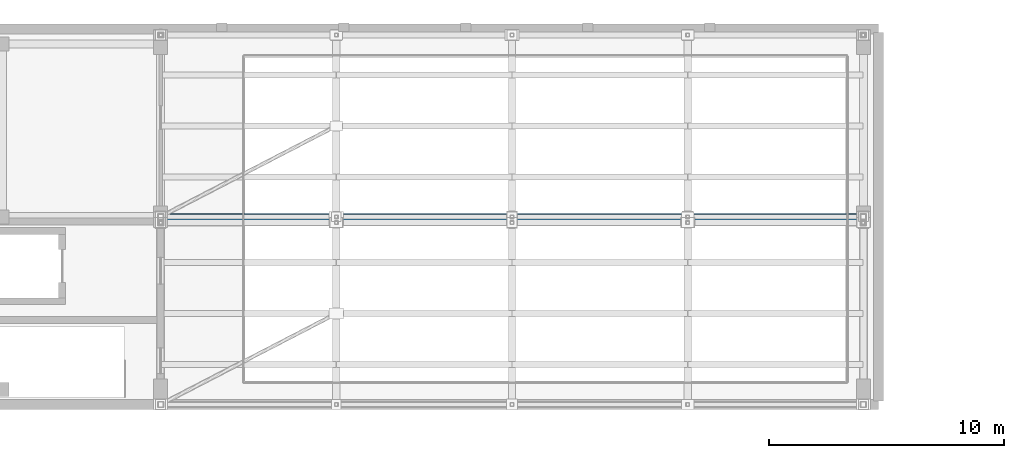
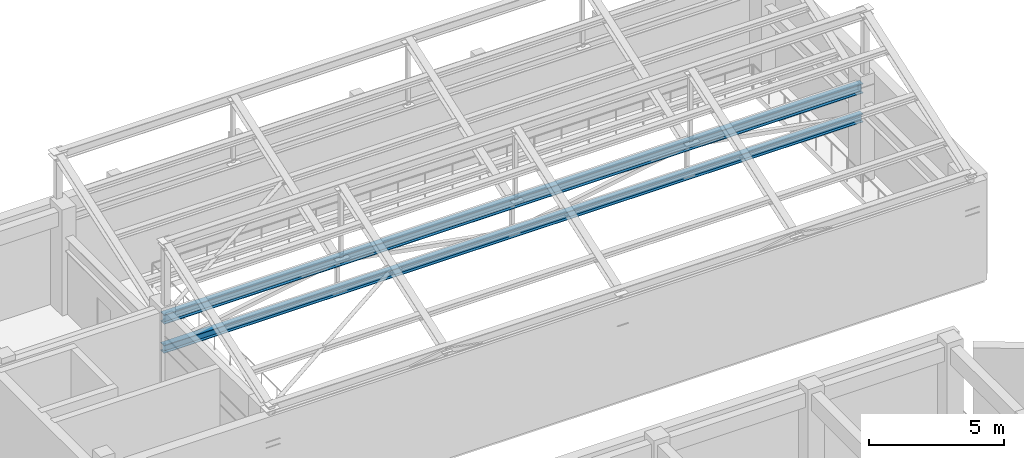
# One storey, part 28 of 76: 2 members.
"""IFC4 building model written with IfcOpenShell, lengths in metres."""

from ifc_helpers import new_model, si_unit, direction, frame, origin, origin_2d, place, context, subcontext, project, spatial, i_section, extrude, material, material_profile, profile_set, type_object, element, save


model = new_model("IFC4")

# Units and contexts
model_context = context("Model", 3, precision=1e-05, world=origin(), true_north=direction((0.0, 1.0)))
body_context = subcontext(model_context, "Body", "Model", "MODEL_VIEW")
ifc_project = project(units=[si_unit("LENGTHUNIT", "METRE"), si_unit("AREAUNIT", "SQUARE_METRE"), si_unit("VOLUMEUNIT", "CUBIC_METRE"), si_unit("PLANEANGLEUNIT", "RADIAN"), si_unit("MASSUNIT", "GRAM", prefix="KILO")], contexts=[model_context])

# Site, building, storey
site_placement = place(None, origin())
site = spatial("IfcSite", under=ifc_project, at=site_placement, CompositionType="ELEMENT")
building_placement = place(site_placement, origin())
building = spatial("IfcBuilding", under=site, at=building_placement, Name="Cinchona Park Media Centre", CompositionType="ELEMENT")
storey_placement = place(building_placement, frame((0.0, 0.0, 15.60009765625)))
storey = spatial("IfcBuildingStorey", under=building, at=storey_placement, Name="L03", CompositionType="ELEMENT", Elevation=15.60009765625)

# Members
ifc_material_1 = material(Name="Steel S355", Category="steel")
ifc_material_profile_1 = material_profile(ifc_material_1, i_section(OverallWidth=0.264892578125, OverallDepth=0.430908203125, WebThickness=0.014892578125, FlangeThickness=0.02490234375, at=origin_2d()), Name="W410X149")
ifc_profile_set_1 = profile_set([ifc_material_profile_1], Name="Steel S355")
member_type_1 = type_object("IfcMemberType", Name="MEMBER-TC03-W410X149", PredefinedType="CHORD", material=ifc_profile_set_1)
member_1_placement = place(storey_placement, frame((15.39990234375, 110.0, 4.0), z_axis=(1.0, 0.0, 0.0), x_axis=(0.0, 1.0, 0.0)))
element("IfcMember", 1, at=member_1_placement, inside=storey, type_object=member_type_1, Name="ROOF TRUSS Top Chord V2 B2", PredefinedType="CHORD", context=body_context, shape_type="SweptSolid", body=[
    extrude(i_section(OverallWidth=0.264892578125, OverallDepth=0.430908203125, WebThickness=0.014892578125, FlangeThickness=0.02490234375, at=origin_2d()), origin(), (0.0, 0.0, 1.0), 29.960205078125),
])
ifc_material_2 = material(Name="Steel S355", Category="steel")
ifc_material_profile_2 = material_profile(ifc_material_2, i_section(OverallWidth=0.257080078125, OverallDepth=0.363037109375, WebThickness=0.012939453125, FlangeThickness=0.021728515625, at=origin_2d()), Name="W360X122")
ifc_profile_set_2 = profile_set([ifc_material_profile_2], Name="Steel S355")
member_type_2 = type_object("IfcMemberType", Name="MEMBER-TC04-W360X122", PredefinedType="CHORD", material=ifc_profile_set_2)
member_2_placement = place(storey_placement, frame((15.39990234375, 110.0, 2.64990234375), z_axis=(1.0, 0.0, 0.0), x_axis=(0.0, 1.0, 0.0)))
element("IfcMember", 2, at=member_2_placement, inside=storey, type_object=member_type_2, Name="ROOF TRUSS Bottom Chord V2 B2", PredefinedType="CHORD", context=body_context, shape_type="SweptSolid", body=[
    extrude(i_section(OverallWidth=0.257080078125, OverallDepth=0.363037109375, WebThickness=0.012939453125, FlangeThickness=0.021728515625, at=origin_2d()), origin(), (0.0, 0.0, 1.0), 29.960205078125),
])

save(model, "model.ifc")
